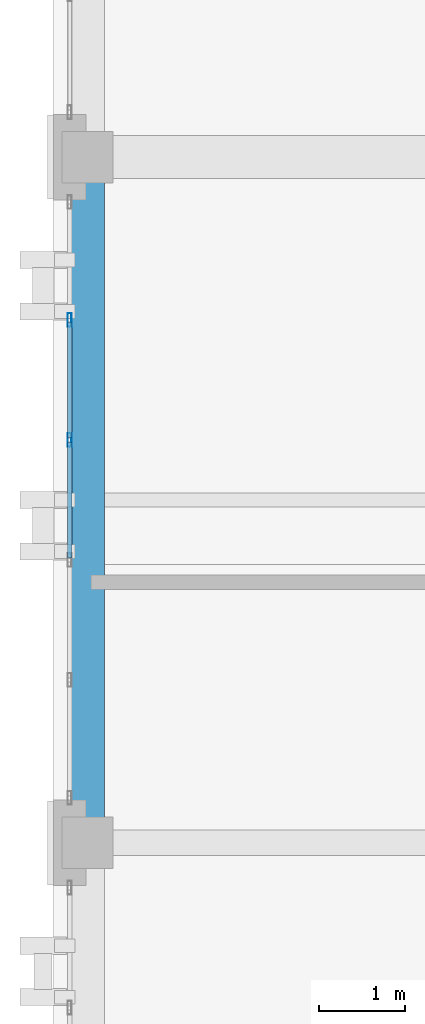
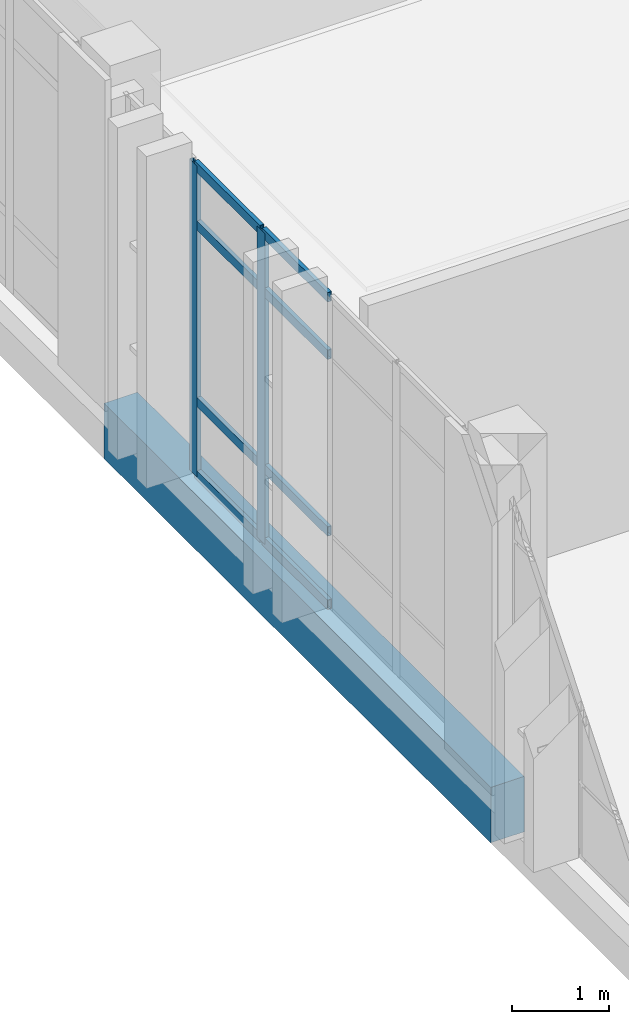
# One storey, part 5 of 90: 10 members, 1 beam, 1 element without a shape of its own.
"""IFC4 building model written with IfcOpenShell, lengths in metres."""

from ifc_helpers import new_model, si_unit, direction, frame, origin, origin_2d, place, context, subcontext, project, spatial, rectangle, hollow_rectangle, extrude, material, layer, layer_set, material_profile, profile_set, type_object, element, aggregate, save


model = new_model("IFC4")

# Units and contexts
model_context = context("Model", 3, precision=1e-05, world=origin(), true_north=direction((0.0, 1.0)))
body_context = subcontext(model_context, "Body", "Model", "MODEL_VIEW")
ifc_project = project(units=[si_unit("LENGTHUNIT", "METRE"), si_unit("AREAUNIT", "SQUARE_METRE"), si_unit("VOLUMEUNIT", "CUBIC_METRE"), si_unit("PLANEANGLEUNIT", "RADIAN"), si_unit("MASSUNIT", "GRAM", prefix="KILO")], contexts=[model_context])

# Site, building, storey
site_placement = place(None, origin())
site = spatial("IfcSite", under=ifc_project, at=site_placement, CompositionType="ELEMENT")
building_placement = place(site_placement, origin())
building = spatial("IfcBuilding", under=site, at=building_placement, Name="Qalavern Law Courts", CompositionType="ELEMENT")
storey_placement = place(building_placement, frame((0.0, 0.0, 22.800048828125)))
storey = spatial("IfcBuildingStorey", under=building, at=storey_placement, Name="L05", CompositionType="ELEMENT", Elevation=22.800048828125)

# Curtain wall, members
ifc_material_1 = material(Name="Anodised aluminium and insulated glazing", Category="aluminium")
ifc_layer = layer(ifc_material_1, 0.159912109375)
ifc_layer_set = layer_set([ifc_layer], Name="Anodised aluminium and insulated glazing")
curtain_wall_type = type_object("IfcCurtainWallType", Name="ENV-CW-CHAMB", PredefinedType="USERDEFINED", material=ifc_layer_set)
curtain_wall_placement = place(storey_placement, origin())
curtain_wall = element("IfcCurtainWall", 1, at=curtain_wall_placement, inside=storey, type_object=curtain_wall_type, Name="V3 unitised curtain wall L05 west 6", ObjectType="UNITISED CURTAIN WALL", PredefinedType="USERDEFINED")
ifc_material_2 = material(Name="Anodised aluminium", Category="aluminium")
ifc_material_profile_1 = material_profile(ifc_material_2, hollow_rectangle(XDim=0.048095703125, YDim=0.159912109375, WallThickness=0.00390625, at=origin_2d()), Name="ALU MULLION 48x160")
ifc_profile_set_1 = profile_set([ifc_material_profile_1], Name="Anodised aluminium")
member_type_1 = type_object("IfcMemberType", Name="ENV-CWM-48x160", PredefinedType="MULLION", material=ifc_profile_set_1)
member_1_placement = place(storey_placement, frame((2.1923828125, 55.5, 0.0), z_axis=(0.0, 0.0, 1.0), x_axis=(1.0, 0.0, 0.0)))
member_1 = element("IfcMember", 2, at=member_1_placement, type_object=member_type_1, Name="CW-04 mullion 2", PredefinedType="MULLION", context=body_context, shape_type="SweptSolid", body=[
    extrude(hollow_rectangle(XDim=0.048095703125, YDim=0.159912109375, WallThickness=0.00390625, at=origin_2d()), origin(), (0.0, 0.0, 1.0), 3.929931640625),
])
member_2_placement = place(storey_placement, frame((2.1923828125, 54.10009765625, 0.0), z_axis=(0.0, 0.0, 1.0), x_axis=(1.0, 0.0, 0.0)))
member_2 = element("IfcMember", 3, at=member_2_placement, type_object=member_type_1, Name="CW-04 mullion 3", PredefinedType="MULLION", context=body_context, shape_type="SweptSolid", body=[
    extrude(hollow_rectangle(XDim=0.048095703125, YDim=0.159912109375, WallThickness=0.00390625, at=origin_2d()), origin(), (0.0, 0.0, 1.0), 3.929931640625),
])
ifc_material_profile_2 = material_profile(ifc_material_2, hollow_rectangle(XDim=0.048095703125, YDim=0.1201171875, WallThickness=0.00390625, at=origin_2d()), Name="ALU TRANSOM 48x120")
ifc_profile_set_2 = profile_set([ifc_material_profile_2], Name="Anodised aluminium")
member_type_2 = type_object("IfcMemberType", Name="ENV-CWT-48x120", PredefinedType="USERDEFINED", material=ifc_profile_set_2)
member_3_placement = place(storey_placement, frame((2.1923828125, 55.47607421875, 0.02392578125), z_axis=(0.0, -1.0, 0.0), x_axis=(1.0, 0.0, 0.0)))
member_3 = element("IfcMember", 4, at=member_3_placement, type_object=member_type_2, Name="CW-04 transom 2.1", ObjectType="TRANSOM", PredefinedType="USERDEFINED", context=body_context, shape_type="SweptSolid", body=[
    extrude(hollow_rectangle(XDim=0.048095703125, YDim=0.1201171875, WallThickness=0.00390625, at=origin_2d()), origin(), (0.0, 0.0, 1.0), 1.35205078125),
])
member_4_placement = place(storey_placement, frame((2.1923828125, 55.47607421875, 0.949951171875), z_axis=(0.0, -1.0, 0.0), x_axis=(1.0, 0.0, 0.0)))
member_4 = element("IfcMember", 5, at=member_4_placement, type_object=member_type_2, Name="CW-04 transom 2.2", ObjectType="TRANSOM", PredefinedType="USERDEFINED", context=body_context, shape_type="SweptSolid", body=[
    extrude(hollow_rectangle(XDim=0.048095703125, YDim=0.1201171875, WallThickness=0.00390625, at=origin_2d()), origin(), (0.0, 0.0, 1.0), 1.35205078125),
])
member_5_placement = place(storey_placement, frame((2.1923828125, 55.47607421875, 3.179931640625), z_axis=(0.0, -1.0, 0.0), x_axis=(1.0, 0.0, 0.0)))
member_5 = element("IfcMember", 6, at=member_5_placement, type_object=member_type_2, Name="CW-04 transom 2.3", ObjectType="TRANSOM", PredefinedType="USERDEFINED", context=body_context, shape_type="SweptSolid", body=[
    extrude(hollow_rectangle(XDim=0.048095703125, YDim=0.1201171875, WallThickness=0.00390625, at=origin_2d()), origin(), (0.0, 0.0, 1.0), 1.35205078125),
])
member_6_placement = place(storey_placement, frame((2.1923828125, 55.47607421875, 3.906005859375), z_axis=(0.0, -1.0, 0.0), x_axis=(1.0, 0.0, 0.0)))
member_6 = element("IfcMember", 7, at=member_6_placement, type_object=member_type_2, Name="CW-04 transom 2.4", ObjectType="TRANSOM", PredefinedType="USERDEFINED", context=body_context, shape_type="SweptSolid", body=[
    extrude(hollow_rectangle(XDim=0.048095703125, YDim=0.1201171875, WallThickness=0.00390625, at=origin_2d()), origin(), (0.0, 0.0, 1.0), 1.35205078125),
])
member_7_placement = place(storey_placement, frame((2.1923828125, 54.075927734375, 0.02392578125), z_axis=(0.0, -1.0, 0.0), x_axis=(1.0, 0.0, 0.0)))
member_7 = element("IfcMember", 8, at=member_7_placement, type_object=member_type_2, Name="CW-04 transom 3.1", ObjectType="TRANSOM", PredefinedType="USERDEFINED", context=body_context, shape_type="SweptSolid", body=[
    extrude(hollow_rectangle(XDim=0.048095703125, YDim=0.1201171875, WallThickness=0.00390625, at=origin_2d()), origin(), (0.0, 0.0, 1.0), 1.351806640625),
])
member_8_placement = place(storey_placement, frame((2.1923828125, 54.075927734375, 0.949951171875), z_axis=(0.0, -1.0, 0.0), x_axis=(1.0, 0.0, 0.0)))
member_8 = element("IfcMember", 9, at=member_8_placement, type_object=member_type_2, Name="CW-04 transom 3.2", ObjectType="TRANSOM", PredefinedType="USERDEFINED", context=body_context, shape_type="SweptSolid", body=[
    extrude(hollow_rectangle(XDim=0.048095703125, YDim=0.1201171875, WallThickness=0.00390625, at=origin_2d()), origin(), (0.0, 0.0, 1.0), 1.351806640625),
])
member_9_placement = place(storey_placement, frame((2.1923828125, 54.075927734375, 3.179931640625), z_axis=(0.0, -1.0, 0.0), x_axis=(1.0, 0.0, 0.0)))
member_9 = element("IfcMember", 10, at=member_9_placement, type_object=member_type_2, Name="CW-04 transom 3.3", ObjectType="TRANSOM", PredefinedType="USERDEFINED", context=body_context, shape_type="SweptSolid", body=[
    extrude(hollow_rectangle(XDim=0.048095703125, YDim=0.1201171875, WallThickness=0.00390625, at=origin_2d()), origin(), (0.0, 0.0, 1.0), 1.351806640625),
])
member_10_placement = place(storey_placement, frame((2.1923828125, 54.075927734375, 3.906005859375), z_axis=(0.0, -1.0, 0.0), x_axis=(1.0, 0.0, 0.0)))
member_10 = element("IfcMember", 11, at=member_10_placement, type_object=member_type_2, Name="CW-04 transom 3.4", ObjectType="TRANSOM", PredefinedType="USERDEFINED", context=body_context, shape_type="SweptSolid", body=[
    extrude(hollow_rectangle(XDim=0.048095703125, YDim=0.1201171875, WallThickness=0.00390625, at=origin_2d()), origin(), (0.0, 0.0, 1.0), 1.351806640625),
])
aggregate(curtain_wall, [member_1, member_2, member_3, member_4, member_5, member_6, member_7, member_8, member_9, member_10])

# Beam
ifc_material_3 = material(Name="Concrete C40/50", Category="concrete")
ifc_material_profile_3 = material_profile(ifc_material_3, rectangle(XDim=0.39990234375, YDim=0.699951171875, at=origin_2d()), Name="RC 400x700")
ifc_profile_set_3 = profile_set([ifc_material_profile_3], Name="Concrete C40/50")
beam_type = type_object("IfcBeamType", Name="STR-SP-RC400x700", PredefinedType="SPANDREL", material=ifc_profile_set_3)
beam_placement = place(storey_placement, frame((2.39990234375, 49.39990234375, -0.625), z_axis=(0.0, 1.0, 0.0), x_axis=(-1.0, 0.0, 0.0)))
element("IfcBeam", 12, at=beam_placement, inside=storey, type_object=beam_type, Name="V3 Y-beam 1-2 L05", PredefinedType="SPANDREL", context=body_context, shape_type="SweptSolid", body=[
    extrude(rectangle(XDim=0.39990234375, YDim=0.699951171875, at=origin_2d()), origin(), (0.0, 0.0, 1.0), 8.0),
])

save(model, "model.ifc")
